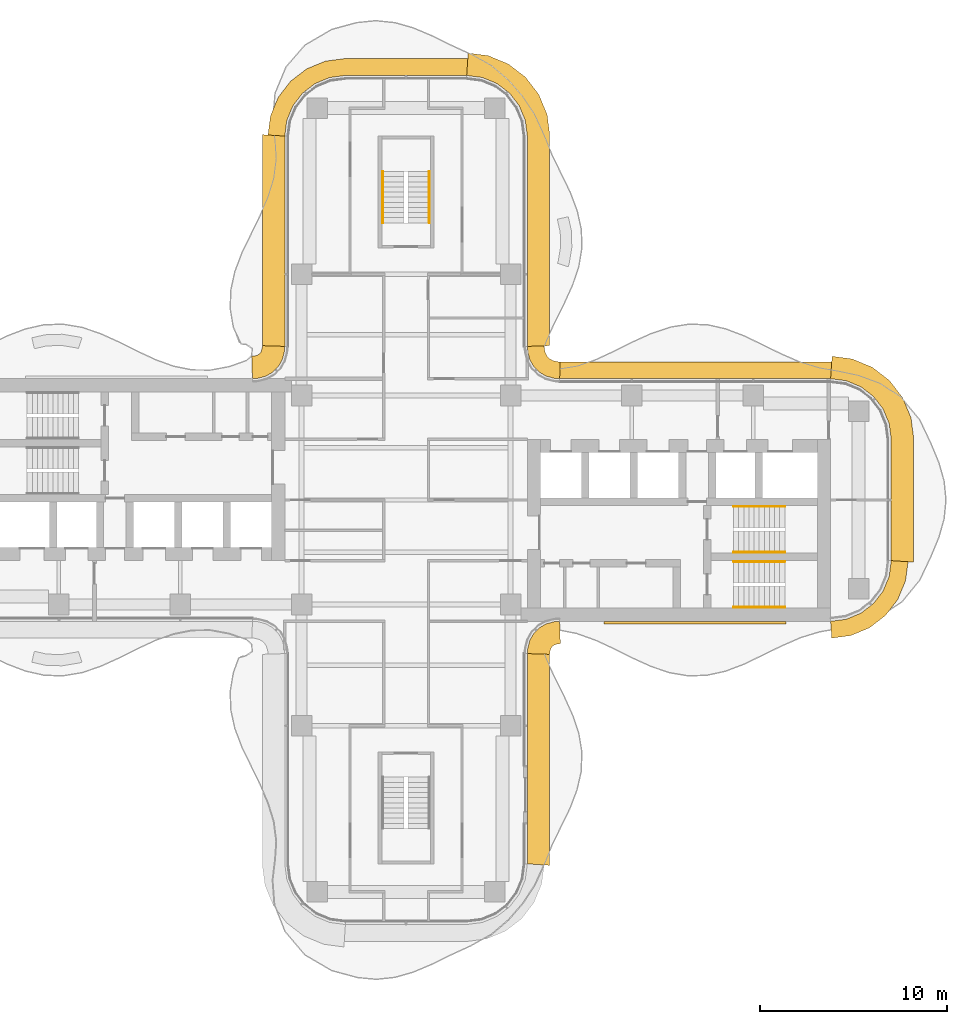
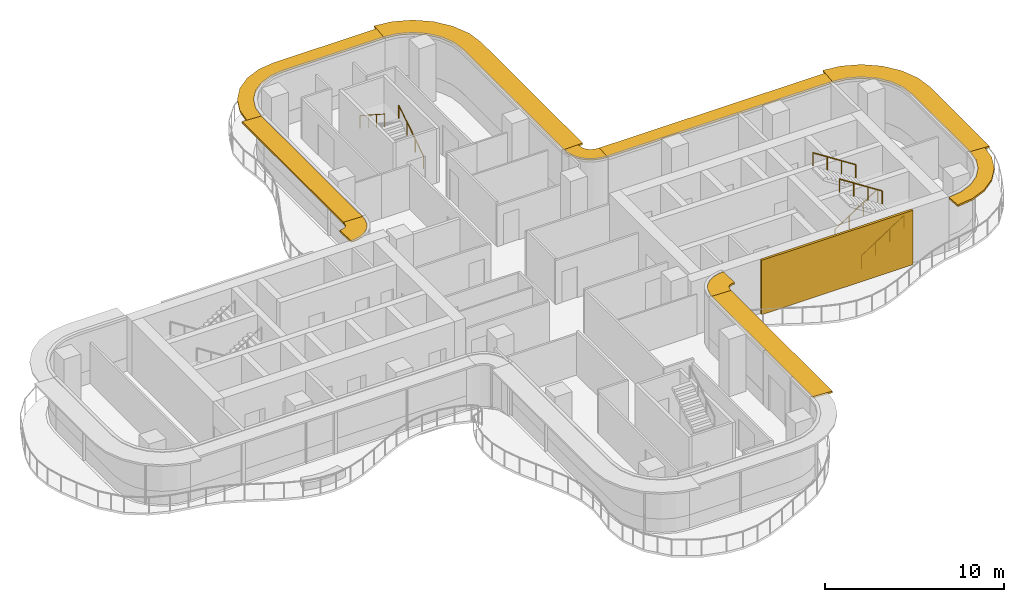
# One storey, part 16 of 16: 10 shading devices, 6 railings, 1 covering.
"""IFC4 building model written with IfcOpenShell, lengths in metres."""

from ifc_helpers import new_model, si_unit, direction, frame, origin, origin_2d, place, context, subcontext, project, spatial, polyline, circle, outline, extrude, source, transform, mapped, material, layer, layer_set, type_object, element, save


model = new_model("IFC4")

# Units and contexts
model_context = context("Model", 3, precision=1e-05, world=origin(), true_north=direction((0.0, 1.0)))
body_context = subcontext(model_context, "Body", "Model", "MODEL_VIEW")
ifc_project = project(units=[si_unit("LENGTHUNIT", "METRE"), si_unit("AREAUNIT", "SQUARE_METRE"), si_unit("VOLUMEUNIT", "CUBIC_METRE"), si_unit("PLANEANGLEUNIT", "RADIAN"), si_unit("MASSUNIT", "GRAM", prefix="KILO")], contexts=[model_context])

# Site, building, storey
site_placement = place(None, origin())
site = spatial("IfcSite", under=ifc_project, at=site_placement, CompositionType="ELEMENT")
building_placement = place(site_placement, origin())
building = spatial("IfcBuilding", under=site, at=building_placement, Name="Trellis Farm Tower", CompositionType="ELEMENT")
storey_placement = place(building_placement, frame((0.0, 0.0, 251.89990234375)))
storey = spatial("IfcBuildingStorey", under=building, at=storey_placement, Name="L56", CompositionType="ELEMENT", Elevation=251.89990234375)

# Railings
ifc_material_1 = material(Name="Stainless steel", Category="steel")
railing_type = type_object("IfcRailingType", Name="STAIR HANDRAIL 900", PredefinedType="HANDRAIL", material=ifc_material_1)
shared_shape_1 = source(origin(), body_context, "Body", "SweptSolid", [
    extrude(circle(Radius=0.02392578125, at=origin_2d()), frame((0.0, 0.0, 0.8759765625), z_axis=(0.0, 0.840503830235, 0.541805602924), x_axis=(-1.0, 0.0, 0.0)), (0.0, 0.0, 1.0), 3.271728515625),
    extrude(circle(Radius=0.02099609375, at=origin_2d()), origin(), (0.0, 0.0, 1.0), 0.851806640625),
    extrude(circle(Radius=0.02099609375, at=origin_2d()), frame((0.0, 0.916748046875, 0.5908203125)), (0.0, 0.0, 1.0), 0.851806640625),
    extrude(circle(Radius=0.02099609375, at=origin_2d()), frame((0.0, 1.833251953125, 1.181884765625)), (0.0, 0.0, 1.0), 0.851806640625),
    extrude(circle(Radius=0.02099609375, at=origin_2d()), frame((0.0, 2.75, 1.772705078125)), (0.0, 0.0, 1.0), 0.851806640625),
])
railing_1_placement = place(storey_placement, frame((1.25, 14.85009765625, 0.177490234375)))
element("IfcRailing", 1, at=railing_1_placement, inside=storey, type_object=railing_type, Name="Stair handrail", PredefinedType="HANDRAIL", context=body_context, shape_type="MappedRepresentation", body=[
    mapped(shared_shape_1, transform((0.0, 0.0, 0.0))),
])
shared_shape_2 = source(origin(), body_context, "Body", "SweptSolid", [
    extrude(circle(Radius=0.02392578125, at=origin_2d()), frame((0.0, 0.0, 0.8759765625), z_axis=(0.0, -0.840503830235, 0.541805602924), x_axis=(1.0, 0.0, 0.0)), (0.0, 0.0, 1.0), 3.271728515625),
    extrude(circle(Radius=0.02099609375, at=origin_2d()), origin(), (0.0, 0.0, 1.0), 0.851806640625),
    extrude(circle(Radius=0.02099609375, at=origin_2d()), frame((0.0, -0.916748046875, 0.5908203125)), (0.0, 0.0, 1.0), 0.851806640625),
    extrude(circle(Radius=0.02099609375, at=origin_2d()), frame((0.0, -1.833251953125, 1.181884765625)), (0.0, 0.0, 1.0), 0.851806640625),
    extrude(circle(Radius=0.02099609375, at=origin_2d()), frame((0.0, -2.75, 1.772705078125)), (0.0, 0.0, 1.0), 0.851806640625),
])
railing_2_placement = place(storey_placement, frame((-1.25, 17.60009765625, 2.12744140625)))
element("IfcRailing", 2, at=railing_2_placement, inside=storey, type_object=railing_type, Name="Stair handrail", PredefinedType="HANDRAIL", context=body_context, shape_type="MappedRepresentation", body=[
    mapped(shared_shape_2, transform((0.0, 0.0, 0.0))),
])
shared_shape_3 = source(origin(), body_context, "Body", "SweptSolid", [
    extrude(circle(Radius=0.02392578125, at=origin_2d()), frame((0.0, 0.0, 0.8759765625), z_axis=(0.840503830235, 0.0, 0.541805602924), x_axis=(0.0, 1.0, 0.0)), (0.0, 0.0, 1.0), 3.271728515625),
    extrude(circle(Radius=0.02099609375, at=origin_2d()), origin(), (0.0, 0.0, 1.0), 0.851806640625),
    extrude(circle(Radius=0.02099609375, at=origin_2d()), frame((0.916748046875, 0.0, 0.5908203125)), (0.0, 0.0, 1.0), 0.851806640625),
    extrude(circle(Radius=0.02099609375, at=origin_2d()), frame((1.833251953125, 0.0, 1.181884765625)), (0.0, 0.0, 1.0), 0.851806640625),
    extrude(circle(Radius=0.02099609375, at=origin_2d()), frame((2.75, 0.0, 1.772705078125)), (0.0, 0.0, 1.0), 0.851806640625),
])
for number, where, name in (
    (3, (17.550048828125, -5.75, 0.177490234375), "Stair handrail"),
    (4, (17.550048828125, -2.800048828125, 0.177490234375), "Stair handrail"),
):
    element("IfcRailing", number, at=place(storey_placement, frame(where)), inside=storey, type_object=railing_type, Name=name, PredefinedType="HANDRAIL", context=body_context, shape_type="MappedRepresentation", body=[
        mapped(shared_shape_3, transform((0.0, 0.0, 0.0))),
    ])
shared_shape_4 = source(origin(), body_context, "Body", "SweptSolid", [
    extrude(circle(Radius=0.02392578125, at=origin_2d()), frame((0.0, 0.0, 0.8759765625), z_axis=(-0.840503830235, 0.0, 0.541805602924), x_axis=(0.0, -1.0, 0.0)), (0.0, 0.0, 1.0), 3.271728515625),
    extrude(circle(Radius=0.02099609375, at=origin_2d()), origin(), (0.0, 0.0, 1.0), 0.851806640625),
    extrude(circle(Radius=0.02099609375, at=origin_2d()), frame((-0.916748046875, 0.0, 0.5908203125)), (0.0, 0.0, 1.0), 0.851806640625),
    extrude(circle(Radius=0.02099609375, at=origin_2d()), frame((-1.833251953125, 0.0, 1.181884765625)), (0.0, 0.0, 1.0), 0.851806640625),
    extrude(circle(Radius=0.02099609375, at=origin_2d()), frame((-2.75, 0.0, 1.772705078125)), (0.0, 0.0, 1.0), 0.851806640625),
])
for number, where, name in (
    (5, (20.300048828125, -3.300048828125, 2.12744140625), "Stair handrail"),
    (6, (20.300048828125, -0.35009765625, 2.12744140625), "Stair handrail"),
):
    element("IfcRailing", number, at=place(storey_placement, frame(where)), inside=storey, type_object=railing_type, Name=name, PredefinedType="HANDRAIL", context=body_context, shape_type="MappedRepresentation", body=[
        mapped(shared_shape_4, transform((0.0, 0.0, 0.0))),
    ])

# Shading devices
ifc_material_2 = material(Name="Aluminium extrusion 6063-T6", Category="aluminium")
ifc_layer_1 = layer(ifc_material_2, 0.1201171875)
ifc_layer_set_1 = layer_set([ifc_layer_1], Name="SUNSHADE BLADE 1200")
shading_device_type_1 = type_object("IfcShadingDeviceType", Name="SUNSHADE BLADE 1200", PredefinedType="USERDEFINED", material=ifc_layer_set_1)
shared_shape_5 = source(origin(), body_context, "Body", "SweptSolid", [
    extrude(outline(polyline([(7.699951171875, -8.270751953125), (7.708740234375, -8.13720703125), (7.70703125, -8.150146484375), (7.7548828125, -7.9716796875), (7.80712890625, -7.881103515625), (7.881103515625, -7.80712890625), (7.9716796875, -7.7548828125), (8.150146484375, -7.70703125), (8.13720703125, -7.708740234375), (8.270751953125, -7.699951171875), (8.2314453125, -6.5), (8.01953125, -6.513916015625), (7.91552734375, -6.527587890625), (7.508544921875, -6.63671875), (7.144287109375, -6.846923828125), (6.846923828125, -7.144287109375), (6.63671875, -7.508544921875), (6.527587890625, -7.91552734375), (6.513916015625, -8.01953125), (6.5, -8.2314453125), (7.699951171875, -8.270751953125)])), origin(), (0.0, 0.0, 1.0), 0.1201171875),
])
placement = place(storey_placement, frame((0.0, 0.0, 3.5400390625)))
element("IfcShadingDevice", 7, at=placement, inside=storey, type_object=shading_device_type_1, Name="SD2 006", ObjectType="SUNSHADE", PredefinedType="USERDEFINED", context=body_context, shape_type="MappedRepresentation", body=[
    mapped(shared_shape_5, transform((0.0, 0.0, 0.0))),
])
ifc_layer_2 = layer(ifc_material_2, 0.1201171875)
ifc_layer_set_2 = layer_set([ifc_layer_2], Name="SUNSHADE BLADE 900")
shading_device_type_2 = type_object("IfcShadingDeviceType", Name="SUNSHADE BLADE 900", PredefinedType="USERDEFINED", material=ifc_layer_set_2)
shared_shape_6 = source(origin(), body_context, "Body", "SweptSolid", [
    extrude(outline(polyline([(8.2607421875, 7.39990234375), (8.107666015625, 7.409912109375), (8.091552734375, 7.412109375), (7.85595703125, 7.475341796875), (7.697021484375, 7.567138671875), (7.567138671875, 7.697021484375), (7.475341796875, 7.85595703125), (7.412109375, 8.091552734375), (7.409912109375, 8.107666015625), (7.39990234375, 8.2607421875), (6.5, 8.2314453125), (6.513916015625, 8.01953125), (6.527587890625, 7.91552734375), (6.63671875, 7.508544921875), (6.846923828125, 7.144287109375), (7.144287109375, 6.846923828125), (7.508544921875, 6.63671875), (7.91552734375, 6.527587890625), (8.01953125, 6.513916015625), (8.2314453125, 6.5), (8.2607421875, 7.39990234375)])), origin(), (0.0, 0.0, 1.0), 0.1201171875),
])
element("IfcShadingDevice", 8, at=placement, inside=storey, type_object=shading_device_type_2, Name="SD1 010", ObjectType="SUNSHADE", PredefinedType="USERDEFINED", context=body_context, shape_type="MappedRepresentation", body=[
    mapped(shared_shape_6, transform((0.0, 0.0, 0.0))),
])
shared_shape_7 = source(origin(), body_context, "Body", "SweptSolid", [
    extrude(outline(polyline([(-7.699951171875, 8.270751953125), (-7.708740234375, 8.13720703125), (-7.70703125, 8.150146484375), (-7.7548828125, 7.9716796875), (-7.80712890625, 7.881103515625), (-7.881103515625, 7.80712890625), (-7.9716796875, 7.7548828125), (-8.150146484375, 7.70703125), (-8.13720703125, 7.708740234375), (-8.270751953125, 7.699951171875), (-8.2314453125, 6.5), (-8.01953125, 6.513916015625), (-7.91552734375, 6.527587890625), (-7.508544921875, 6.63671875), (-7.144287109375, 6.846923828125), (-6.846923828125, 7.144287109375), (-6.63671875, 7.508544921875), (-6.527587890625, 7.91552734375), (-6.513916015625, 8.01953125), (-6.5, 8.2314453125), (-7.699951171875, 8.270751953125)])), origin(), (0.0, 0.0, 1.0), 0.1201171875),
])
element("IfcShadingDevice", 9, at=placement, inside=storey, type_object=shading_device_type_1, Name="SD2 014", ObjectType="SUNSHADE", PredefinedType="USERDEFINED", context=body_context, shape_type="MappedRepresentation", body=[
    mapped(shared_shape_7, transform((0.0, 0.0, 0.0))),
])
shared_shape_8 = source(origin(), body_context, "Body", "SweptSolid", [
    extrude(outline(polyline([(7.699951171875, 8.270751953125), (7.699951171875, 19.57861328125), (7.558349609375, 20.654541015625), (7.11279296875, 21.730224609375), (6.404052734375, 22.654052734375), (5.480224609375, 23.36279296875), (4.404541015625, 23.808349609375), (3.32861328125, 23.949951171875), (3.25, 22.75), (4.091064453125, 22.63916015625), (4.875, 22.314697265625), (5.548095703125, 21.798095703125), (6.064697265625, 21.125), (6.38916015625, 20.341064453125), (6.5, 19.5), (6.5, 8.2314453125), (7.699951171875, 8.270751953125)])), origin(), (0.0, 0.0, 1.0), 0.1201171875),
])
element("IfcShadingDevice", 10, at=placement, inside=storey, type_object=shading_device_type_1, Name="SD2 011", ObjectType="SUNSHADE", PredefinedType="USERDEFINED", context=body_context, shape_type="MappedRepresentation", body=[
    mapped(shared_shape_8, transform((0.0, 0.0, 0.0))),
])
shared_shape_9 = source(origin(), body_context, "Body", "SweptSolid", [
    extrude(outline(polyline([(3.30908203125, 23.64990234375), (-3.30908203125, 23.64990234375), (-4.326171875, 23.51611328125), (-5.328857421875, 23.100830078125), (-6.18994140625, 22.43994140625), (-6.850830078125, 21.578857421875), (-7.26611328125, 20.576171875), (-7.39990234375, 19.55908203125), (-6.5, 19.5), (-6.38916015625, 20.341064453125), (-6.064697265625, 21.125), (-5.548095703125, 21.798095703125), (-4.875, 22.314697265625), (-4.091064453125, 22.63916015625), (-3.25, 22.75), (3.25, 22.75), (3.30908203125, 23.64990234375)])), origin(), (0.0, 0.0, 1.0), 0.1201171875),
])
element("IfcShadingDevice", 11, at=placement, inside=storey, type_object=shading_device_type_2, Name="SD1 012", ObjectType="SUNSHADE", PredefinedType="USERDEFINED", context=body_context, shape_type="MappedRepresentation", body=[
    mapped(shared_shape_9, transform((0.0, 0.0, 0.0))),
])
shared_shape_10 = source(origin(), body_context, "Body", "SweptSolid", [
    extrude(outline(polyline([(-7.699951171875, 19.57861328125), (-7.699951171875, 8.270751953125), (-6.5, 8.2314453125), (-6.5, 19.5), (-7.699951171875, 19.57861328125)])), origin(), (0.0, 0.0, 1.0), 0.1201171875),
])
element("IfcShadingDevice", 12, at=placement, inside=storey, type_object=shading_device_type_1, Name="SD2 013", ObjectType="SUNSHADE", PredefinedType="USERDEFINED", context=body_context, shape_type="MappedRepresentation", body=[
    mapped(shared_shape_10, transform((0.0, 0.0, 0.0))),
])
shared_shape_11 = source(origin(), body_context, "Body", "SweptSolid", [
    extrude(outline(polyline([(22.80908203125, -7.39990234375), (23.826171875, -7.26611328125), (24.828857421875, -6.850830078125), (25.68994140625, -6.18994140625), (26.350830078125, -5.328857421875), (26.76611328125, -4.326171875), (26.89990234375, -3.30908203125), (26.0, -3.25), (25.88916015625, -4.091064453125), (25.564697265625, -4.875), (25.048095703125, -5.548095703125), (24.375, -6.064697265625), (23.591064453125, -6.38916015625), (22.75, -6.5), (22.80908203125, -7.39990234375)])), origin(), (0.0, 0.0, 1.0), 0.1201171875),
])
element("IfcShadingDevice", 13, at=placement, inside=storey, type_object=shading_device_type_2, Name="SD1 007", ObjectType="SUNSHADE", PredefinedType="USERDEFINED", context=body_context, shape_type="MappedRepresentation", body=[
    mapped(shared_shape_11, transform((0.0, 0.0, 0.0))),
])
shared_shape_12 = source(origin(), body_context, "Body", "SweptSolid", [
    extrude(outline(polyline([(27.199951171875, -3.32861328125), (27.199951171875, 3.32861328125), (27.058349609375, 4.404541015625), (26.61279296875, 5.480224609375), (25.904052734375, 6.404052734375), (24.980224609375, 7.11279296875), (23.904541015625, 7.558349609375), (22.82861328125, 7.699951171875), (22.75, 6.5), (23.591064453125, 6.38916015625), (24.375, 6.064697265625), (25.048095703125, 5.548095703125), (25.564697265625, 4.875), (25.88916015625, 4.091064453125), (26.0, 3.25), (26.0, -3.25), (27.199951171875, -3.32861328125)])), origin(), (0.0, 0.0, 1.0), 0.1201171875),
])
element("IfcShadingDevice", 14, at=placement, inside=storey, type_object=shading_device_type_1, Name="SD2 008", ObjectType="SUNSHADE", PredefinedType="USERDEFINED", context=body_context, shape_type="MappedRepresentation", body=[
    mapped(shared_shape_12, transform((0.0, 0.0, 0.0))),
])
shared_shape_13 = source(origin(), body_context, "Body", "SweptSolid", [
    extrude(outline(polyline([(22.80908203125, 7.39990234375), (8.2607421875, 7.39990234375), (8.2314453125, 6.5), (22.75, 6.5), (22.80908203125, 7.39990234375)])), origin(), (0.0, 0.0, 1.0), 0.1201171875),
])
element("IfcShadingDevice", 15, at=placement, inside=storey, type_object=shading_device_type_2, Name="SD1 009", ObjectType="SUNSHADE", PredefinedType="USERDEFINED", context=body_context, shape_type="MappedRepresentation", body=[
    mapped(shared_shape_13, transform((0.0, 0.0, 0.0))),
])
shared_shape_14 = source(origin(), body_context, "Body", "SweptSolid", [
    extrude(outline(polyline([(7.699951171875, -19.57861328125), (7.699951171875, -8.270751953125), (6.5, -8.2314453125), (6.5, -19.5), (7.699951171875, -19.57861328125)])), origin(), (0.0, 0.0, 1.0), 0.1201171875),
])
element("IfcShadingDevice", 16, at=placement, inside=storey, type_object=shading_device_type_1, Name="SD2 005", ObjectType="SUNSHADE", PredefinedType="USERDEFINED", context=body_context, shape_type="MappedRepresentation", body=[
    mapped(shared_shape_14, transform((0.0, 0.0, 0.0))),
])

# Covering
ifc_material_3 = material(Name="Perforated precast screen (cobogo)", Category="concrete")
ifc_layer_3 = layer(ifc_material_3, 0.14990234375)
ifc_layer_set_3 = layer_set([ifc_layer_3], Name="COBOGO SCREEN PANEL")
covering_type = type_object("IfcCoveringType", Name="COBOGO SCREEN PANEL", PredefinedType="USERDEFINED", material=ifc_layer_set_3)
shared_shape_15 = source(origin(), body_context, "Body", "SweptSolid", [
    extrude(outline(polyline([(10.61572265625, -6.64990234375), (20.36572265625, -6.64990234375), (20.36572265625, -6.5), (10.61572265625, -6.5), (10.61572265625, -6.64990234375)])), origin(), (0.0, 0.0, 1.0), 3.7001953125),
])
covering_placement = place(storey_placement, origin())
element("IfcCovering", 17, at=covering_placement, inside=storey, type_object=covering_type, Name="SC1 01", ObjectType="SCREEN", PredefinedType="USERDEFINED", context=body_context, shape_type="MappedRepresentation", body=[
    mapped(shared_shape_15, transform((0.0, 0.0, 0.0))),
])

save(model, "model.ifc")
